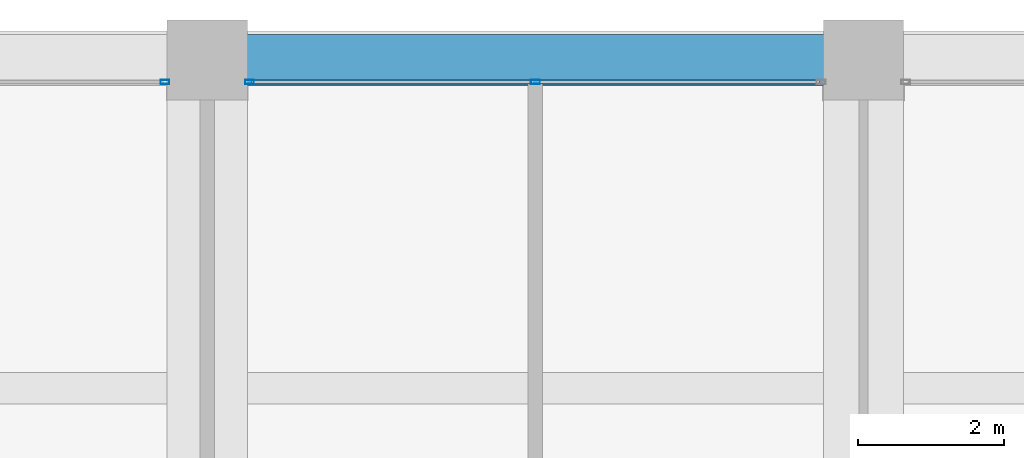
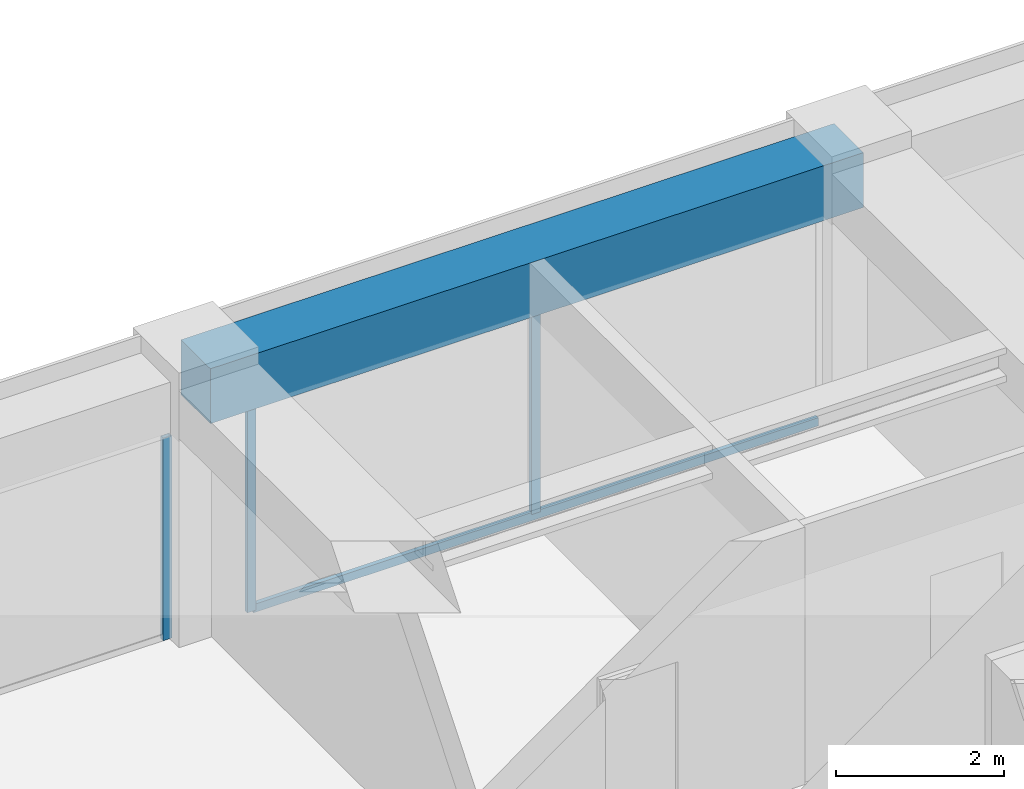
# One storey, part 33 of 45: 4 members, 1 beam, 2 elements without a shape of their own.
"""IFC4 building model written with IfcOpenShell, lengths in metres."""

from ifc_helpers import new_model, si_unit, direction, frame, origin, origin_2d, place, context, subcontext, project, spatial, rectangle, hollow_rectangle, extrude, material, material_profile, profile_set, type_object, element, aggregate, save


model = new_model("IFC4")

# Units and contexts
model_context = context("Model", 3, precision=1e-05, world=origin(), true_north=direction((0.0, 1.0)))
body_context = subcontext(model_context, "Body", "Model", "MODEL_VIEW")
ifc_project = project(units=[si_unit("LENGTHUNIT", "METRE"), si_unit("AREAUNIT", "SQUARE_METRE"), si_unit("VOLUMEUNIT", "CUBIC_METRE"), si_unit("PLANEANGLEUNIT", "RADIAN"), si_unit("MASSUNIT", "GRAM", prefix="KILO")], contexts=[model_context])

# Site, building, storey
site_placement = place(None, origin())
site = spatial("IfcSite", under=ifc_project, at=site_placement, CompositionType="ELEMENT")
building_placement = place(site_placement, origin())
building = spatial("IfcBuilding", under=site, at=building_placement, Name="Zorevar Civic Tower", CompositionType="ELEMENT")
storey_placement = place(building_placement, frame((0.0, 0.0, 279.39990234375)))
storey = spatial("IfcBuildingStorey", under=building, at=storey_placement, Name="L68", CompositionType="ELEMENT", Elevation=279.39990234375)

# Curtain wall, member
ifc_material_1 = material(Name="Dark grey solar-control glass in black aluminium frame", Category="aluminium")
curtain_wall_type = type_object("IfcCurtainWallType", Name="Curtain wall CW5 top zone", PredefinedType="NOTDEFINED", material=ifc_material_1)
curtain_wall_1_placement = place(storey_placement, origin())
curtain_wall_1 = element("IfcCurtainWall", 1, at=curtain_wall_1_placement, inside=storey, type_object=curtain_wall_type, Name="CW5 L68", PredefinedType="NOTDEFINED")
ifc_material_2 = material(Name="Aluminium, black anodised", Category="aluminium")
ifc_material_profile_1 = material_profile(ifc_material_2, hollow_rectangle(XDim=0.06005859375, YDim=0.1201171875, WallThickness=0.0029296875, at=origin_2d()), Name="AL 120x60x3")
ifc_profile_set_1 = profile_set([ifc_material_profile_1], Name="Aluminium, black anodised")
member_type_1 = type_object("IfcMemberType", Name="CW5 mullion AL 120x60x3", PredefinedType="MULLION", material=ifc_profile_set_1)
member_1_placement = place(storey_placement, frame((26.419921875, 44.699951171875, 0.0), z_axis=(0.0, 0.0, 1.0), x_axis=(0.0, 1.0, 0.0)))
member_1 = element("IfcMember", 2, at=member_1_placement, type_object=member_type_1, Name="CW5 mullion 3", PredefinedType="MULLION", context=body_context, shape_type="SweptSolid", body=[
    extrude(hollow_rectangle(XDim=0.06005859375, YDim=0.1201171875, WallThickness=0.0029296875, at=origin_2d()), origin(), (0.0, 0.0, 1.0), 2.9501953125),
])
aggregate(curtain_wall_1, [member_1])

# Curtain wall, members
curtain_wall_2_placement = place(storey_placement, origin())
curtain_wall_2 = element("IfcCurtainWall", 3, at=curtain_wall_2_placement, inside=storey, type_object=curtain_wall_type, Name="CW5 L68", PredefinedType="NOTDEFINED")
member_2_placement = place(storey_placement, frame((27.580078125, 44.699951171875, 0.0), z_axis=(0.0, 0.0, 1.0), x_axis=(0.0, 1.0, 0.0)))
member_2 = element("IfcMember", 4, at=member_2_placement, type_object=member_type_1, Name="CW5 mullion 1", PredefinedType="MULLION", context=body_context, shape_type="SweptSolid", body=[
    extrude(hollow_rectangle(XDim=0.06005859375, YDim=0.1201171875, WallThickness=0.0029296875, at=origin_2d()), origin(), (0.0, 0.0, 1.0), 2.9501953125),
])
member_3_placement = place(storey_placement, frame((31.5, 44.699951171875, 0.06005859375), z_axis=(0.0, 0.0, 1.0), x_axis=(0.0, 1.0, 0.0)))
member_3 = element("IfcMember", 5, at=member_3_placement, type_object=member_type_1, Name="CW5 mullion 2", PredefinedType="MULLION", context=body_context, shape_type="SweptSolid", body=[
    extrude(hollow_rectangle(XDim=0.06005859375, YDim=0.1201171875, WallThickness=0.0029296875, at=origin_2d()), origin(), (0.0, 0.0, 1.0), 2.89013671875),
])
ifc_material_3 = material(Name="Aluminium, black anodised", Category="aluminium")
ifc_material_profile_2 = material_profile(ifc_material_3, hollow_rectangle(XDim=0.06005859375, YDim=0.1201171875, WallThickness=0.0029296875, at=origin_2d()), Name="AL 120x60x3")
ifc_profile_set_2 = profile_set([ifc_material_profile_2], Name="Aluminium, black anodised")
member_type_2 = type_object("IfcMemberType", Name="CW5 transom AL 120x60x3", PredefinedType="USERDEFINED", material=ifc_profile_set_2)
member_4_placement = place(storey_placement, frame((27.610107421875, 44.699951171875, 0.030029296875), z_axis=(1.0, 0.0, 0.0), x_axis=(0.0, 1.0, 0.0)))
member_4 = element("IfcMember", 6, at=member_4_placement, type_object=member_type_2, Name="CW5 sill transom", ObjectType="TRANSOM", PredefinedType="USERDEFINED", context=body_context, shape_type="SweptSolid", body=[
    extrude(hollow_rectangle(XDim=0.06005859375, YDim=0.1201171875, WallThickness=0.0029296875, at=origin_2d()), origin(), (0.0, 0.0, 1.0), 7.77978515625),
])
aggregate(curtain_wall_2, [member_2, member_3, member_4])

# Beam
ifc_material_4 = material(Name="Concrete C50/60", Category="concrete")
ifc_material_profile_3 = material_profile(ifc_material_4, rectangle(XDim=0.699951171875, YDim=0.800048828125, at=origin_2d()), Name="RC 700x800")
ifc_profile_set_3 = profile_set([ifc_material_profile_3], Name="Concrete C50/60")
beam_type = type_object("IfcBeamType", Name="Edge beam RC 700x800", PredefinedType="SPANDREL", material=ifc_profile_set_3)
beam_placement = place(storey_placement, frame((27.0, 45.0, 3.35009765625), z_axis=(1.0, 0.0, 0.0), x_axis=(0.0, 1.0, 0.0)))
element("IfcBeam", 7, at=beam_placement, inside=storey, type_object=beam_type, Name="Edge beam L69", PredefinedType="SPANDREL", context=body_context, shape_type="SweptSolid", body=[
    extrude(rectangle(XDim=0.699951171875, YDim=0.800048828125, at=origin_2d()), origin(), (0.0, 0.0, 1.0), 9.0),
])

save(model, "model.ifc")
